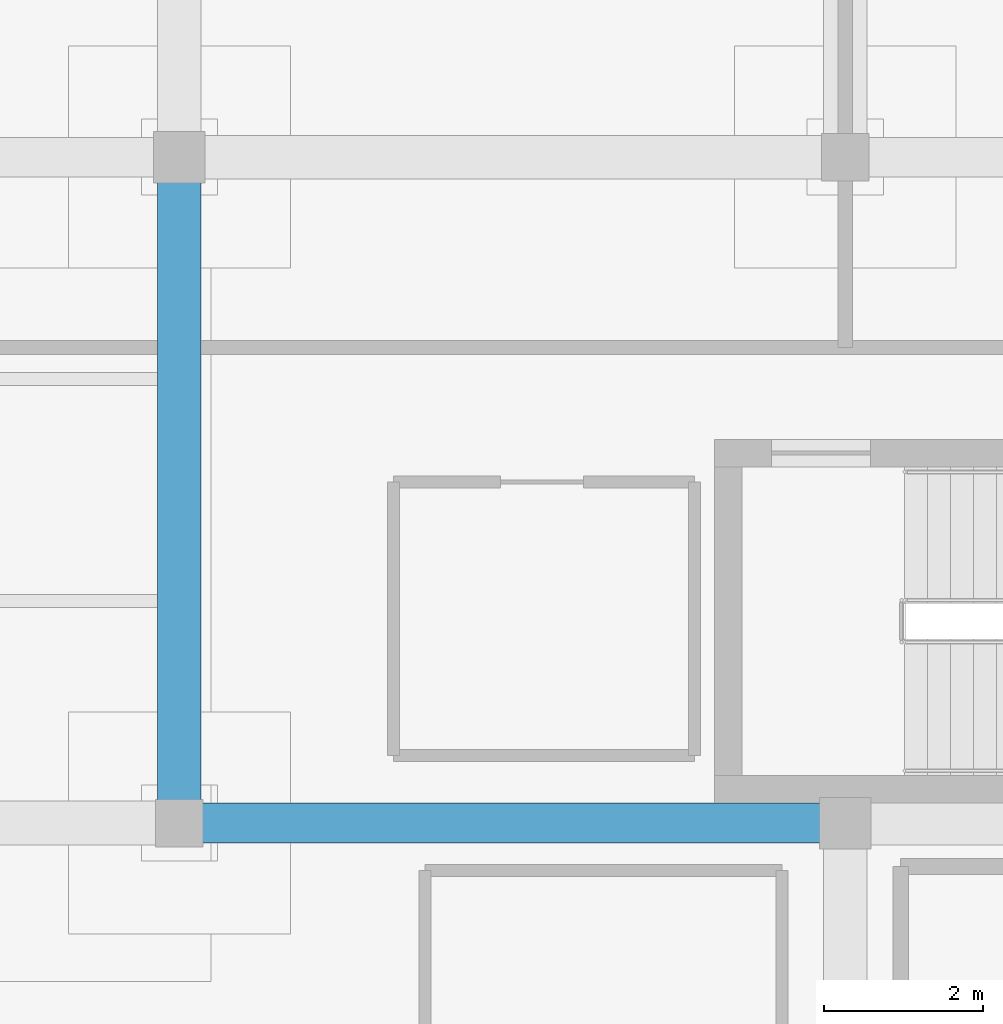
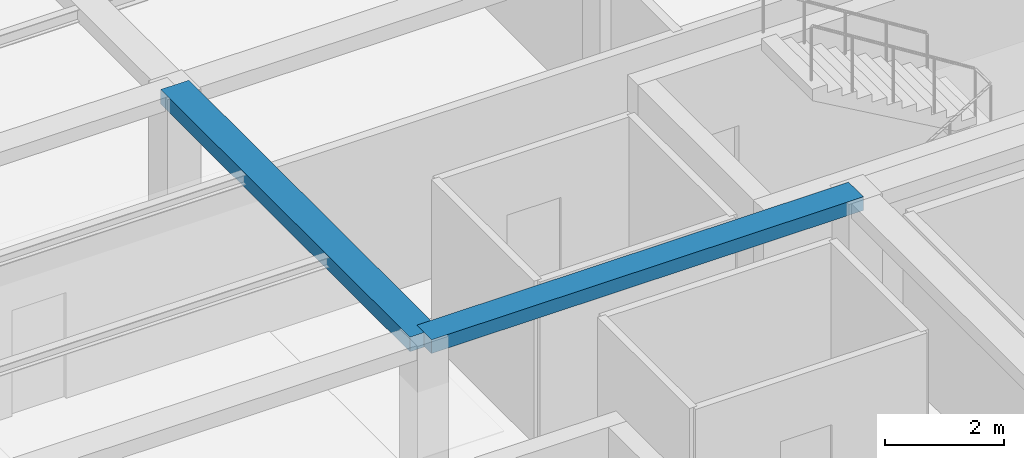
# One storey, part 9 of 25: 2 beams.
"""IFC4 building model written with IfcOpenShell, lengths in metres."""

import ifcopenshell
import ifcopenshell.guid

model = None  # the IFC model being written
_history = None  # IfcOwnerHistory: only IFC2X3 demands one
_inside = {}  # id of a spatial element -> (the spatial element, [elements in it])
_under = {}  # id of a project, library or spatial element -> (it, [spatial elements below it])
_declared = {}  # id of a project -> (the project, [libraries it declares])
_typed = {}  # id of a type object -> (the type object, [elements of that type])
_made_of = {}  # id of a material, layer set ... -> (it, [elements and type objects made of it])


def new_model(schema):
    """Start an empty IFC model of exactly this schema.

    Asked for "IFC4X3", IfcOpenShell would pick the latest addendum, in which some entities
    have other attributes; the version numbers below select the first issue.
    IFC2X3 requires an IfcOwnerHistory on every rooted entity: one is made here for all.
    """
    global model, _history
    if schema == "IFC4X3":
        model = ifcopenshell.file(schema_version=(4, 3, 0, 0))
    else:
        model = ifcopenshell.file(schema=schema)
    _inside.clear()
    _under.clear()
    _declared.clear()
    _typed.clear()
    _made_of.clear()
    _history = None
    if model.schema == "IFC2X3":
        org = make("IfcOrganization", Name="unknown")
        user = make(
            "IfcPersonAndOrganization",
            ThePerson=make("IfcPerson", FamilyName="unknown"),
            TheOrganization=org,
        )
        app = make(
            "IfcApplication",
            ApplicationDeveloper=org,
            Version="unknown",
            ApplicationFullName="unknown",
            ApplicationIdentifier="unknown",
        )
        _history = make(
            "IfcOwnerHistory",
            OwningUser=user,
            OwningApplication=app,
            ChangeAction="ADDED",
            CreationDate=0,
        )
    return model


def make(cls, **values):
    """One entity of the class cls with the attributes given. An attribute that is None is left unset."""
    return model.create_entity(
        cls, **{name: value for name, value in values.items() if value is not None}
    )


def rooted(cls, **values):
    """An entity with a GlobalId (a new one), such as an element, a storey or a relation."""
    return make(cls, GlobalId=ifcopenshell.guid.new(), OwnerHistory=_history, **values)


def si_unit(unit_type, name, prefix=None):
    """IfcSIUnit, for example si_unit("LENGTHUNIT", "METRE", prefix="MILLI")."""
    return make("IfcSIUnit", UnitType=unit_type, Prefix=prefix, Name=name)


def assignment(units):
    """IfcUnitAssignment: the units of a project."""
    return None if units is None else make("IfcUnitAssignment", Units=units)


def point(xyz):
    """IfcCartesianPoint."""
    return None if xyz is None else make("IfcCartesianPoint", Coordinates=xyz)


def direction(xyz):
    """IfcDirection."""
    return None if xyz is None else make("IfcDirection", DirectionRatios=xyz)


def frame(location, z_axis=None, x_axis=None):
    """IfcAxis2Placement3D, a coordinate frame: its origin and axes. An axis left out is left unset."""
    return make(
        "IfcAxis2Placement3D",
        Location=point(location),
        Axis=direction(z_axis),
        RefDirection=direction(x_axis),
    )


def frame_2d(location, x_axis=None):
    """IfcAxis2Placement2D, a coordinate frame in the plane: its origin and x axis."""
    return make(
        "IfcAxis2Placement2D", Location=point(location), RefDirection=direction(x_axis)
    )


def origin():
    """The frame at (0, 0, 0) with its axes left unset."""
    return frame((0.0, 0.0, 0.0))


def origin_2d():
    """The frame at (0, 0) in the plane with its x axis left unset."""
    return frame_2d((0.0, 0.0))


def place(relative_to, where):
    """IfcLocalPlacement: puts the frame where relative to a parent placement (None: the world)."""
    return make(
        "IfcLocalPlacement", PlacementRelTo=relative_to, RelativePlacement=where
    )


def context(
    kind, dimensions, precision=None, world=None, true_north=None, identifier=None
):
    """IfcGeometricRepresentationContext, for example the 3D "Model" context."""
    return make(
        "IfcGeometricRepresentationContext",
        ContextIdentifier=identifier,
        ContextType=kind,
        CoordinateSpaceDimension=dimensions,
        Precision=precision,
        WorldCoordinateSystem=world,
        TrueNorth=true_north,
    )


def subcontext(parent, identifier, kind, view, scale=None):
    """IfcGeometricRepresentationSubContext, for example "Body" below "Model"."""
    return make(
        "IfcGeometricRepresentationSubContext",
        ContextIdentifier=identifier,
        ContextType=kind,
        ParentContext=parent,
        TargetScale=scale,
        TargetView=view,
    )


def project(units=None, contexts=None):
    """IfcProject with its units and contexts."""
    return rooted(
        "IfcProject",
        Name="project",
        RepresentationContexts=contexts,
        UnitsInContext=assignment(units),
    )


def spatial(cls, under=None, at=None, **own):
    """A site, building, storey or space (cls), placed at a placement, below another one or the project."""
    s = rooted(cls, ObjectPlacement=at, **own)
    if under is not None:
        _under.setdefault(under.id(), (under, []))[1].append(s)
    return s


def profile(cls, at=None, kind="AREA", **sizes):
    """A parametric profile (cls). Its sizes go by their IFC names, for example OverallWidth=200.0."""
    return make(cls, ProfileType=kind, Position=at, **sizes)


def rectangle(**sizes):
    """IfcRectangleProfileDef."""
    return profile("IfcRectangleProfileDef", **sizes)


def extrude(swept, where, along, depth):
    """IfcExtrudedAreaSolid: the profile swept, set in the frame where, extruded along a direction by depth."""
    return make(
        "IfcExtrudedAreaSolid",
        SweptArea=swept,
        Position=where,
        ExtrudedDirection=direction(along),
        Depth=depth,
    )


def shape(context_of_items, identifier, shape_type, items):
    """IfcShapeRepresentation: the items that make up one representation, for example the "Body"."""
    return make(
        "IfcShapeRepresentation",
        ContextOfItems=context_of_items,
        RepresentationIdentifier=identifier,
        RepresentationType=shape_type,
        Items=items,
    )


def material(Name=None, Category=None):
    """IfcMaterial."""
    return make("IfcMaterial", Name=Name, Category=Category)


def material_profile(
    of_material, cross_section, Name=None, Category=None, Priority=None
):
    """IfcMaterialProfile: a cross section and its material."""
    return make(
        "IfcMaterialProfile",
        Name=Name,
        Material=of_material,
        Profile=cross_section,
        Priority=Priority,
        Category=Category,
    )


def profile_set(profiles, Name=None, composite=None):
    """IfcMaterialProfileSet."""
    return make(
        "IfcMaterialProfileSet",
        Name=Name,
        MaterialProfiles=profiles,
        CompositeProfile=composite,
    )


def made_of(thing, what):
    """Note that an element or type object is made of a material, layer set ...; save() writes the relation."""
    if what is not None:
        _made_of.setdefault(what.id(), (what, []))[1].append(thing)
    return thing


def type_object(cls, material=None, **own):
    """A type object (cls), such as IfcWallType, which elements share."""
    return made_of(rooted(cls, **own), material)


def element(
    cls,
    number,
    at=None,
    inside=None,
    cuts=None,
    type_object=None,
    material=None,
    context=None,
    identifier="Body",
    shape_type=None,
    held_by="IfcProductDefinitionShape",
    body=None,
    shapes=None,
    **own,
):
    """One element of the class cls, such as IfcWall. Its Tag is "e" and its number.

    at: its placement. inside: the storey or other place that contains it. cuts: it is an
    opening in that element (IfcRelVoidsElement). A single representation is given by context,
    identifier, shape_type and body (its items); several are given by shapes. held_by: the class
    of the entity that holds the representations. save() writes the other relations.
    """
    e = rooted(cls, Tag="e%d" % number, ObjectPlacement=at, **own)
    if body is not None:
        shapes = [shape(context, identifier, shape_type, body)]
    if shapes is not None:
        e.Representation = make(held_by, Representations=shapes)
    if inside is not None:
        _inside.setdefault(inside.id(), (inside, []))[1].append(e)
    if cuts is not None:
        rooted(
            "IfcRelVoidsElement", RelatingBuildingElement=cuts, RelatedOpeningElement=e
        )
    if type_object is not None:
        _typed.setdefault(type_object.id(), (type_object, []))[1].append(e)
    return made_of(e, material)


def aggregate(whole, parts):
    """IfcRelAggregates: a whole, such as a stair, and the parts it consists of."""
    return rooted("IfcRelAggregates", RelatingObject=whole, RelatedObjects=parts)


def save(model, path):
    """Write the relations noted so far, then the file.

    IfcRelAggregates (storeys below a building ...), IfcRelContainedInSpatialStructure (elements
    in a storey), IfcRelDefinesByType, IfcRelAssociatesMaterial and IfcRelDeclares: one each for
    every whole, place, type object, material and project.
    """
    for whole, parts in _under.values():
        aggregate(whole, parts)
    for where, things in _inside.values():
        rooted(
            "IfcRelContainedInSpatialStructure",
            RelatedElements=things,
            RelatingStructure=where,
        )
    for kind, things in _typed.values():
        rooted("IfcRelDefinesByType", RelatedObjects=things, RelatingType=kind)
    for what, things in _made_of.values():
        rooted("IfcRelAssociatesMaterial", RelatedObjects=things, RelatingMaterial=what)
    for by, libraries in _declared.values():
        rooted("IfcRelDeclares", RelatingContext=by, RelatedDefinitions=libraries)
    model.write(path)


model = new_model("IFC4")

# Units and contexts
model_context = context("Model", 3, precision=1e-05, world=origin(), true_north=direction((0.0, 1.0)))
body_context = subcontext(model_context, "Body", "Model", "MODEL_VIEW")
ifc_project = project(units=[si_unit("LENGTHUNIT", "METRE"), si_unit("AREAUNIT", "SQUARE_METRE"), si_unit("VOLUMEUNIT", "CUBIC_METRE"), si_unit("PLANEANGLEUNIT", "RADIAN"), si_unit("MASSUNIT", "GRAM", prefix="KILO")], contexts=[model_context])

# Site, building, storey
site_placement = place(None, origin())
site = spatial("IfcSite", under=ifc_project, at=site_placement, CompositionType="ELEMENT")
building_placement = place(site_placement, origin())
building = spatial("IfcBuilding", under=site, at=building_placement, Name="Almacenes y Pasaje Nevantli", CompositionType="ELEMENT")
storey_placement = place(building_placement, frame((0.0, 0.0, 50.699951171875)))
storey = spatial("IfcBuildingStorey", under=building, at=storey_placement, Name="L12", CompositionType="ELEMENT", Elevation=50.699951171875)

# Beams
ifc_material_1 = material(Name="Concrete C35/45", Category="concrete")
ifc_material_profile_1 = material_profile(ifc_material_1, rectangle(XDim=0.5, YDim=0.280029296875, at=origin_2d()), Name="RC-BM-500x280")
ifc_profile_set_1 = profile_set([ifc_material_profile_1], Name="Concrete C35/45")
beam_type_1 = type_object("IfcBeamType", Name="BM-RC-500x280", PredefinedType="BEAM", material=ifc_profile_set_1)
beam_1_placement = place(storey_placement, frame((126.0, 84.0, 3.580078125), z_axis=(1.0, 0.0, 0.0), x_axis=(0.0, 1.0, 0.0)))
element("IfcBeam", 1, at=beam_1_placement, inside=storey, type_object=beam_type_1, Name="L12 East-West Reinforced Concrete Beam #3902", PredefinedType="BEAM", context=body_context, shape_type="SweptSolid", body=[
    extrude(rectangle(XDim=0.5, YDim=0.280029296875, at=origin_2d()), origin(), (0.0, 0.0, 1.0), 8.39990234375),
])
ifc_material_2 = material(Name="Concrete C35/45", Category="concrete")
ifc_material_profile_2 = material_profile(ifc_material_2, rectangle(XDim=0.550048828125, YDim=0.300048828125, at=origin_2d()), Name="RC-BM-550x300")
ifc_profile_set_2 = profile_set([ifc_material_profile_2], Name="Concrete C35/45")
beam_type_2 = type_object("IfcBeamType", Name="BM-RC-550x300", PredefinedType="BEAM", material=ifc_profile_set_2)
beam_2_placement = place(storey_placement, frame((126.0, 84.0, 3.570068359375), z_axis=(0.0, 1.0, 0.0), x_axis=(-1.0, 0.0, 0.0)))
element("IfcBeam", 2, at=beam_2_placement, inside=storey, type_object=beam_type_2, Name="L12 North-South Reinforced Concrete Beam #3921", PredefinedType="BEAM", context=body_context, shape_type="SweptSolid", body=[
    extrude(rectangle(XDim=0.550048828125, YDim=0.300048828125, at=origin_2d()), origin(), (0.0, 0.0, 1.0), 8.39990234375),
])

save(model, "model.ifc")
